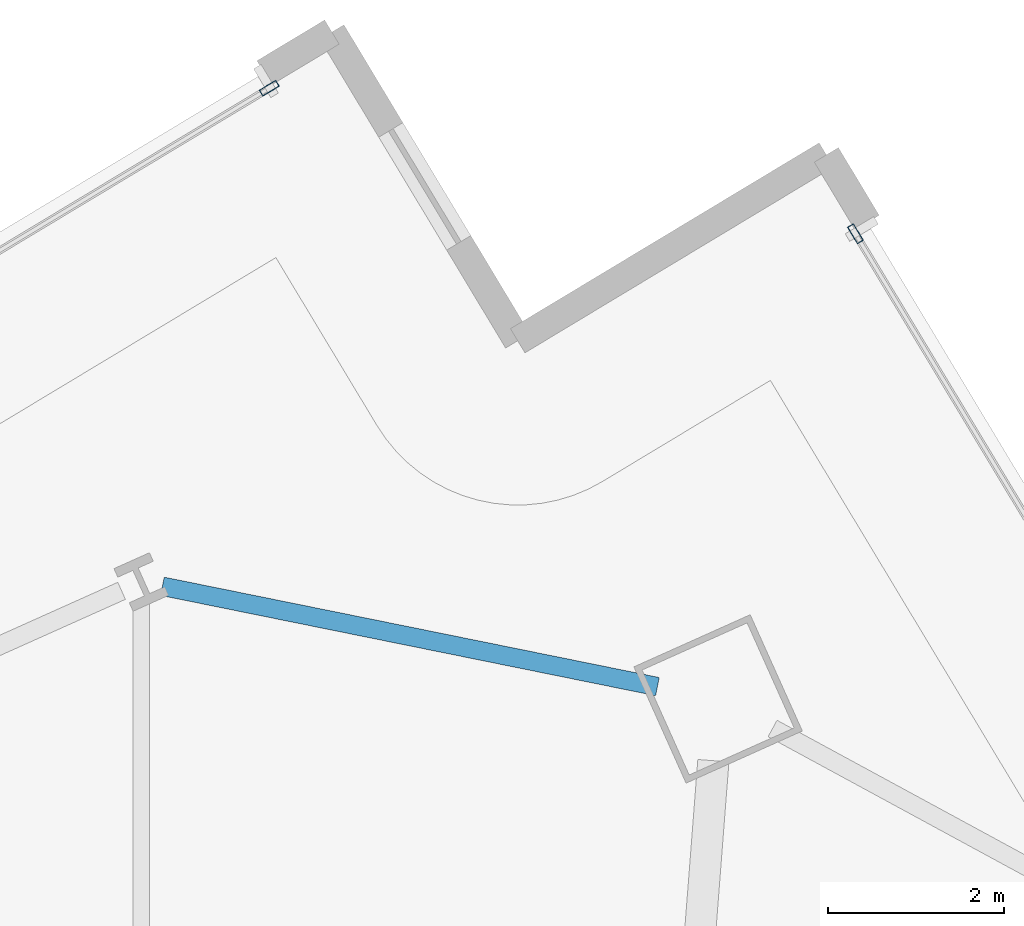
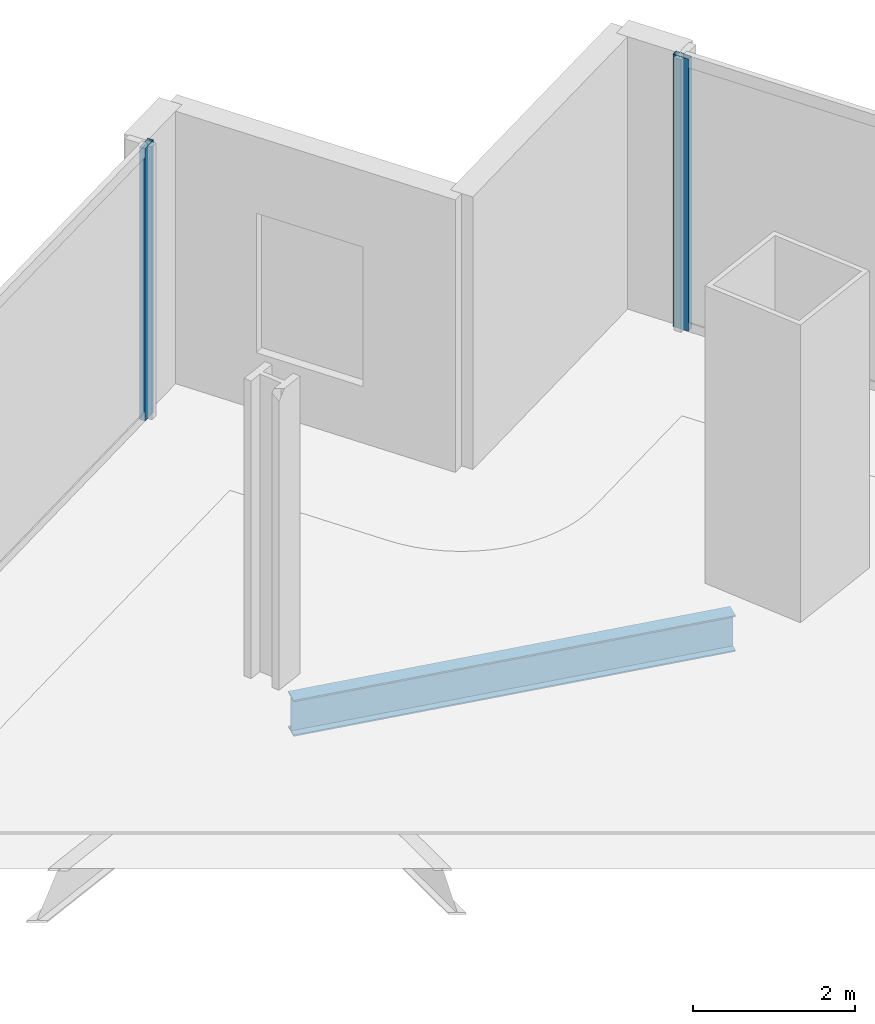
# One storey, part 19 of 30: 2 members, 1 beam, 2 elements without a shape of their own.
"""IFC4 building model written with IfcOpenShell, lengths in metres."""

from ifc_helpers import new_model, si_unit, direction, frame, origin, origin_2d, place, context, subcontext, project, spatial, hollow_rectangle, i_section, extrude, material, material_profile, profile_set, type_object, element, aggregate, save


model = new_model("IFC4")

# Units and contexts
model_context = context("Model", 3, precision=1e-05, world=origin(), true_north=direction((0.0, 1.0)))
body_context = subcontext(model_context, "Body", "Model", "MODEL_VIEW")
ifc_project = project(units=[si_unit("LENGTHUNIT", "METRE"), si_unit("AREAUNIT", "SQUARE_METRE"), si_unit("VOLUMEUNIT", "CUBIC_METRE"), si_unit("PLANEANGLEUNIT", "RADIAN"), si_unit("MASSUNIT", "GRAM", prefix="KILO")], contexts=[model_context])

# Site, building, storey
site_placement = place(None, origin())
site = spatial("IfcSite", under=ifc_project, at=site_placement, CompositionType="ELEMENT")
building_placement = place(site_placement, origin())
building = spatial("IfcBuilding", under=site, at=building_placement, Name="Haldenkirk Collegiate Tower", CompositionType="ELEMENT")
storey_placement = place(building_placement, frame((0.0, 0.0, 131.699951171875)))
storey = spatial("IfcBuildingStorey", under=building, at=storey_placement, Name="L32", CompositionType="ELEMENT", Elevation=131.699951171875)

# Beam
ifc_material_1 = material(Name="Steel ASTM A992 Grade 50", Category="steel")
ifc_material_profile_1 = material_profile(ifc_material_1, i_section(OverallWidth=0.2119140625, OverallDepth=0.5439453125, WebThickness=0.01318359375, FlangeThickness=0.021240234375, at=origin_2d()), Name="W21X83")
ifc_profile_set_1 = profile_set([ifc_material_profile_1], Name="Steel ASTM A992 Grade 50")
beam_type = type_object("IfcBeamType", Name="BM-SPANDREL-W21X83", PredefinedType="SPANDREL", material=ifc_profile_set_1)
beam_placement = place(storey_placement, frame((45.590087890625, 50.750244140625, -0.6220703125), z_axis=(-0.980069318183, 0.198655811786, 0.0), x_axis=(-0.198655811786, -0.980069318183, 0.0)))
element("IfcBeam", 1, at=beam_placement, inside=storey, type_object=beam_type, Name="L32 perimeter spandrel beam 09", PredefinedType="SPANDREL", context=body_context, shape_type="SweptSolid", body=[
    extrude(i_section(OverallWidth=0.2119140625, OverallDepth=0.5439453125, WebThickness=0.01318359375, FlangeThickness=0.021240234375, at=origin_2d()), origin(), (0.0, 0.0, 1.0), 5.747802734375),
])

# Curtain wall, member
ifc_material_2 = material(Name="Anodised architectural bronze aluminium", Category="aluminium")
curtain_wall_type = type_object("IfcCurtainWallType", Name="CW-SYS1-CONVEX-LOW", PredefinedType="USERDEFINED", material=ifc_material_2)
curtain_wall_1_placement = place(storey_placement, origin())
curtain_wall_1 = element("IfcCurtainWall", 2, at=curtain_wall_1_placement, inside=storey, type_object=curtain_wall_type, Name="L32 Lower tower convex bronze-framed unitised curtain wall", ObjectType="UNITISED CURTAIN WALL", PredefinedType="USERDEFINED")
ifc_material_profile_2 = material_profile(ifc_material_2, hollow_rectangle(XDim=0.080078125, YDim=0.219970703125, WallThickness=0.0048828125, at=origin_2d()), Name="CW-MUL-1A")
ifc_profile_set_2 = profile_set([ifc_material_profile_2], Name="Anodised architectural bronze aluminium")
member_type = type_object("IfcMemberType", Name="CW-MUL-1A", PredefinedType="MULLION", material=ifc_profile_set_2)
member_1_placement = place(storey_placement, frame((47.84326171875, 55.9033203125, 0.0), z_axis=(0.0, 0.0, 1.0), x_axis=(0.856719120283, 0.51578323833, 0.0)))
member_1 = element("IfcMember", 3, at=member_1_placement, type_object=member_type, Name="CW-1A mullion 1", PredefinedType="MULLION", context=body_context, shape_type="SweptSolid", body=[
    extrude(hollow_rectangle(XDim=0.080078125, YDim=0.219970703125, WallThickness=0.0048828125, at=origin_2d()), origin(), (0.0, 0.0, 1.0), 4.10009765625),
])
aggregate(curtain_wall_1, [member_1])

curtain_wall_2_placement = place(storey_placement, origin())
curtain_wall_2 = element("IfcCurtainWall", 4, at=curtain_wall_2_placement, inside=storey, type_object=curtain_wall_type, Name="L32 Lower tower convex bronze-framed unitised curtain wall", ObjectType="UNITISED CURTAIN WALL", PredefinedType="USERDEFINED")
member_2_placement = place(storey_placement, frame((41.1728515625, 57.56005859375, 0.0), z_axis=(0.0, 0.0, 1.0), x_axis=(-0.51578432758, 0.856718464505, 0.0)))
member_2 = element("IfcMember", 5, at=member_2_placement, type_object=member_type, Name="CW-1A mullion 5", PredefinedType="MULLION", context=body_context, shape_type="SweptSolid", body=[
    extrude(hollow_rectangle(XDim=0.080078125, YDim=0.219970703125, WallThickness=0.0048828125, at=origin_2d()), origin(), (0.0, 0.0, 1.0), 4.10009765625),
])
aggregate(curtain_wall_2, [member_2])

save(model, "model.ifc")
